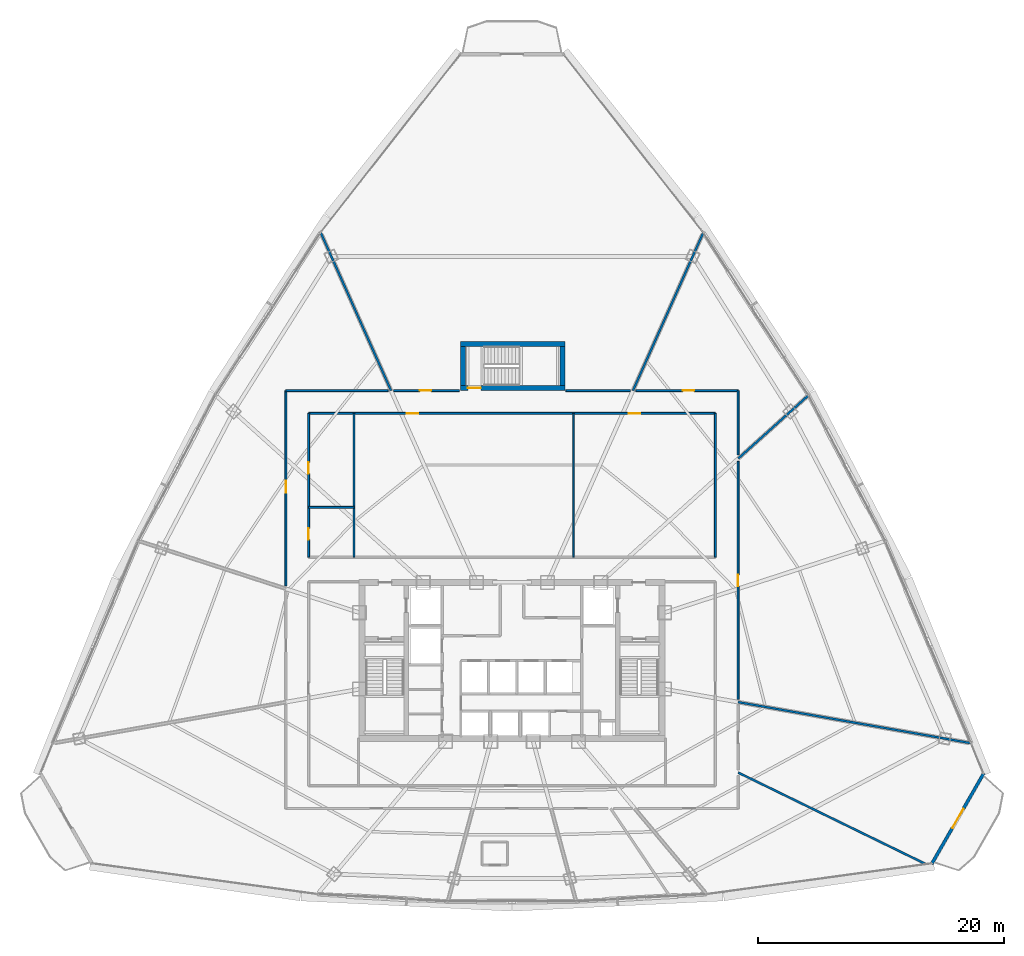
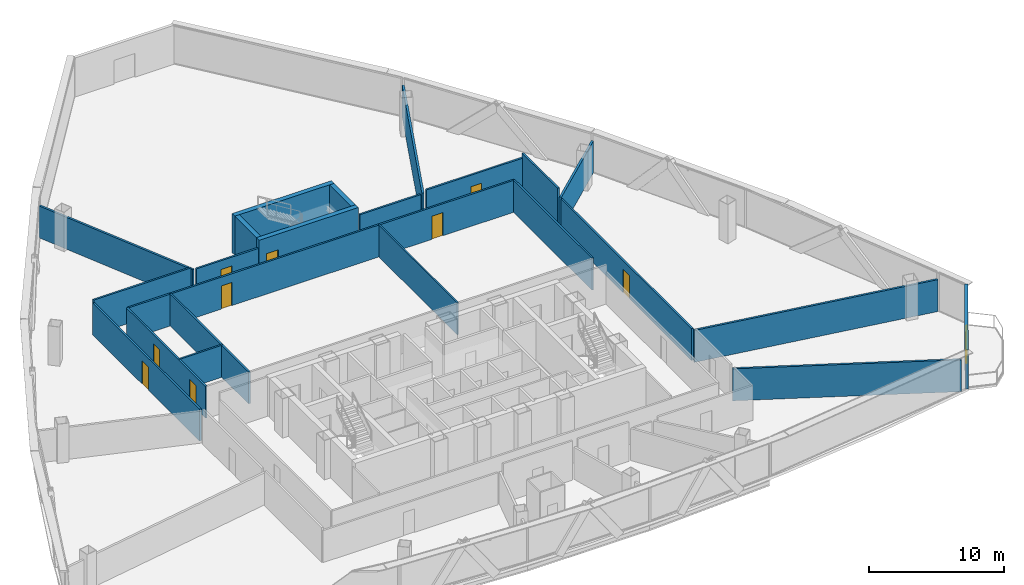
# One storey, part 32 of 37: 23 walls, 10 doors, 10 openings.
"""IFC4 building model written with IfcOpenShell, lengths in metres."""

from ifc_helpers import new_model, si_unit, direction, frame, frame_2d, origin, origin_with_axes, place, context, subcontext, project, spatial, rectangle, extrude, source, transform, mapped, material, layer, layer_set, type_object, element, fill, save


model = new_model("IFC4")

# Units and contexts
model_context = context("Model", 3, precision=1e-05, world=origin(), true_north=direction((0.0, 1.0)))
body_context = subcontext(model_context, "Body", "Model", "MODEL_VIEW")
ifc_project = project(units=[si_unit("LENGTHUNIT", "METRE"), si_unit("AREAUNIT", "SQUARE_METRE"), si_unit("VOLUMEUNIT", "CUBIC_METRE"), si_unit("PLANEANGLEUNIT", "RADIAN"), si_unit("MASSUNIT", "GRAM", prefix="KILO"), si_unit("THERMODYNAMICTEMPERATUREUNIT", "KELVIN"), si_unit("POWERUNIT", "WATT")], contexts=[model_context])

# Site, building, storey
site_placement = place(None, origin())
site = spatial("IfcSite", under=ifc_project, at=site_placement, CompositionType="ELEMENT")
building_placement = place(site_placement, origin())
building = spatial("IfcBuilding", under=site, at=building_placement, Name="Yunzhuo Pagoda Commons", CompositionType="ELEMENT")
storey_placement = place(building_placement, frame((0.0, 0.0, 196.159912109375)))
storey = spatial("IfcBuildingStorey", under=building, at=storey_placement, Name="L49", CompositionType="ELEMENT", Elevation=196.159912109375)

# Wall, opening, door
ifc_material_1 = material(Name="Precast concrete C40", Category="concrete")
ifc_layer_1 = layer(ifc_material_1, 0.260009765625)
ifc_layer_set_1 = layer_set([ifc_layer_1], Name="Precast concrete C40")
wall_type_1 = type_object("IfcWallType", Name="W-BAL1 Corner Balcony Threshold Wall 260", PredefinedType="STANDARD", material=ifc_layer_set_1)
wall_1_placement = place(storey_placement, frame((82.139892578125, 17.284912109375, 0.0), z_axis=(0.0, 0.0, 1.0), x_axis=(0.497930869929, 0.867216725376, 0.0)))
wall_1 = element("IfcWall", 1, at=wall_1_placement, inside=storey, type_object=wall_type_1, Name="L49 corner balcony wall V2", PredefinedType="STANDARD", context=body_context, shape_type="SweptSolid", body=[
    extrude(rectangle(XDim=8.534423828125, YDim=0.260009765625, at=frame_2d((4.26708984375, 0.0))), origin(), (0.0, 0.0, 1.0), 3.5400390625),
])
opening_1_placement = place(wall_1_placement, frame((3.3671875, 0.0, 0.0)))
opening_1 = element("IfcOpeningElement", 2, at=opening_1_placement, cuts=wall_1, Name="Opening D-BAL1", PredefinedType="OPENING", context=body_context, shape_type="SweptSolid", body=[
    extrude(rectangle(XDim=1.800048828125, YDim=2.14990234375, at=frame_2d((0.89990234375, 1.074951171875))), frame((0.0, 0.14013671875, 0.0), z_axis=(0.0, -1.0, 0.0), x_axis=(1.0, 0.0, 0.0)), (0.0, 0.0, 1.0), 0.280029296875),
])
ifc_material_2 = material(Name="Anodized aluminium frame and tempered glazed leaf", Category="aluminium")
door_type_1 = type_object("IfcDoorType", Name="D-BAL1 Corner Balcony Sliding Glazed Door 1800x2150", OperationType="DOUBLE_DOOR_SLIDING", PredefinedType="DOOR", material=ifc_material_2)
shared_shape_1 = source(origin(), body_context, "Body", "SweptSolid", [
    extrude(rectangle(XDim=1.800048828125, YDim=2.14990234375, at=frame_2d((0.89990234375, 1.074951171875))), frame((0.0, 0.02490234375, 0.0), z_axis=(0.0, -1.0, 0.0), x_axis=(1.0, 0.0, 0.0)), (0.0, 0.0, 1.0), 0.050048828125),
])
door_1_placement = place(opening_1_placement, origin_with_axes())
door_1 = element("IfcDoor", 3, at=door_1_placement, inside=storey, type_object=door_type_1, Name="L49 corner balcony sliding door V2", OperationType="DOUBLE_DOOR_SLIDING", OverallHeight=2.14990234375, OverallWidth=1.800048828125, PredefinedType="DOOR", context=body_context, shape_type="MappedRepresentation", body=[
    mapped(shared_shape_1, transform((0.0, 0.0, 0.0), scale=1.0)),
])
fill(opening_1, door_1)

# Wall, openings, doors
ifc_material_3 = material(Name="Gypsum plasterboard on acoustic stud")
ifc_layer_2 = layer(ifc_material_3, 0.155029296875)
ifc_layer_set_2 = layer_set([ifc_layer_2], Name="Gypsum plasterboard on acoustic stud")
wall_type_2 = type_object("IfcWallType", Name="W-COR2 Mid-Zone Rated Corridor Wall 155", PredefinedType="PARTITIONING", material=ifc_layer_set_2)
wall_2_placement = place(storey_placement, frame((31.449951171875, 53.949951171875, 0.0), z_axis=(0.0, 0.0, 1.0), x_axis=(1.0, 0.0, 0.0)))
wall_2 = element("IfcWall", 4, at=wall_2_placement, inside=storey, type_object=wall_type_2, Name="L49 interior wall IW-L49-MCNN", PredefinedType="PARTITIONING", context=body_context, shape_type="SweptSolid", body=[
    extrude(rectangle(XDim=33.10009765625, YDim=0.155029296875, at=frame_2d((16.550048828125, 0.0))), origin(), (0.0, 0.0, 1.0), 2.89013671875),
])
opening_2_placement = place(wall_2_placement, frame((8.0, 0.0, 0.0)))
opening_2 = element("IfcOpeningElement", 5, at=opening_2_placement, cuts=wall_2, Name="Opening D-04", PredefinedType="OPENING", context=body_context, shape_type="SweptSolid", body=[
    extrude(rectangle(XDim=0.919921875, YDim=2.10009765625, at=frame_2d((0.4599609375, 1.050048828125))), frame((0.0, 0.08740234375, 0.0), z_axis=(0.0, -1.0, 0.0), x_axis=(1.0, 0.0, 0.0)), (0.0, 0.0, 1.0), 0.175048828125),
])
opening_3_placement = place(wall_2_placement, frame((26.050048828125, 0.0, 0.0)))
opening_3 = element("IfcOpeningElement", 6, at=opening_3_placement, cuts=wall_2, Name="Opening D-04", PredefinedType="OPENING", context=body_context, shape_type="SweptSolid", body=[
    extrude(rectangle(XDim=0.919921875, YDim=2.10009765625, at=frame_2d((0.4599609375, 1.050048828125))), frame((0.0, 0.08740234375, 0.0), z_axis=(0.0, -1.0, 0.0), x_axis=(1.0, 0.0, 0.0)), (0.0, 0.0, 1.0), 0.175048828125),
])
ifc_material_4 = material(Name="Powder-coated aluminium and timber acoustic leaf", Category="wood")
door_type_2 = type_object("IfcDoorType", Name="D-04 Bedroom & Study Interior Door 920x2100", OperationType="NOTDEFINED", PredefinedType="DOOR", material=ifc_material_4)
shared_shape_2 = source(origin(), body_context, "Body", "SweptSolid", [
    extrude(rectangle(XDim=0.919921875, YDim=2.10009765625, at=frame_2d((0.4599609375, 1.050048828125))), frame((0.0, 0.02490234375, 0.0), z_axis=(0.0, -1.0, 0.0), x_axis=(1.0, 0.0, 0.0)), (0.0, 0.0, 1.0), 0.050048828125),
])
door_2_placement = place(opening_2_placement, origin_with_axes())
door_2 = element("IfcDoor", 7, at=door_2_placement, inside=storey, type_object=door_type_2, Name="L49 reading commons door", OperationType="SINGLE_SWING_LEFT", OverallHeight=2.10009765625, OverallWidth=0.919921875, PredefinedType="DOOR", context=body_context, shape_type="MappedRepresentation", body=[
    mapped(shared_shape_2, transform((0.0, 0.0, 0.0), scale=1.0)),
])
fill(opening_2, door_2)
door_3_placement = place(opening_3_placement, origin_with_axes())
door_3 = element("IfcDoor", 8, at=door_3_placement, inside=storey, type_object=door_type_2, Name="L49 seminar commons door", OperationType="SINGLE_SWING_RIGHT", OverallHeight=2.10009765625, OverallWidth=0.919921875, PredefinedType="DOOR", context=body_context, shape_type="MappedRepresentation", body=[
    mapped(shared_shape_2, transform((0.0, 0.0, 0.0), scale=1.0)),
])
fill(opening_3, door_3)

wall_3_placement = place(storey_placement, frame((31.449951171875, 42.25, 0.0), z_axis=(0.0, 0.0, 1.0), x_axis=(0.0, 1.0, 0.0)))
wall_3 = element("IfcWall", 9, at=wall_3_placement, inside=storey, type_object=wall_type_2, Name="L49 interior wall IW-L49-MCNW", PredefinedType="PARTITIONING", context=body_context, shape_type="SweptSolid", body=[
    extrude(rectangle(XDim=11.699951171875, YDim=0.155029296875, at=frame_2d((5.85009765625, 0.0))), origin(), (0.0, 0.0, 1.0), 2.89013671875),
])
opening_4_placement = place(wall_3_placement, frame((1.39990234375, 0.0, 0.0)))
opening_4 = element("IfcOpeningElement", 10, at=opening_4_placement, cuts=wall_3, Name="Opening D-11", PredefinedType="OPENING", context=body_context, shape_type="SweptSolid", body=[
    extrude(rectangle(XDim=0.93994140625, YDim=2.10009765625, at=frame_2d((0.469970703125, 1.050048828125))), frame((0.0, 0.08740234375, 0.0), z_axis=(0.0, -1.0, 0.0), x_axis=(1.0, 0.0, 0.0)), (0.0, 0.0, 1.0), 0.175048828125),
])
opening_5_placement = place(wall_3_placement, frame((6.800048828125, 0.0, 0.0)))
opening_5 = element("IfcOpeningElement", 11, at=opening_5_placement, cuts=wall_3, Name="Opening D-04", PredefinedType="OPENING", context=body_context, shape_type="SweptSolid", body=[
    extrude(rectangle(XDim=0.919921875, YDim=2.10009765625, at=frame_2d((0.4599609375, 1.050048828125))), frame((0.0, 0.08740234375, 0.0), z_axis=(0.0, -1.0, 0.0), x_axis=(1.0, 0.0, 0.0)), (0.0, 0.0, 1.0), 0.175048828125),
])
ifc_material_5 = material(Name="Galvanized fire-resisting metal leaf")
door_type_3 = type_object("IfcDoorType", Name="D-11 Accessible Washroom Fire Door 940x2100", OperationType="NOTDEFINED", PredefinedType="DOOR", material=ifc_material_5)
shared_shape_3 = source(origin(), body_context, "Body", "SweptSolid", [
    extrude(rectangle(XDim=0.93994140625, YDim=2.10009765625, at=frame_2d((0.469970703125, 1.050048828125))), frame((0.0, 0.02490234375, 0.0), z_axis=(0.0, -1.0, 0.0), x_axis=(1.0, 0.0, 0.0)), (0.0, 0.0, 1.0), 0.050048828125),
])
door_4_placement = place(opening_4_placement, origin_with_axes())
door_4 = element("IfcDoor", 12, at=door_4_placement, inside=storey, type_object=door_type_3, Name="L49 accessible WC door", OperationType="SINGLE_SWING_LEFT", OverallHeight=2.10009765625, OverallWidth=0.93994140625, PredefinedType="DOOR", context=body_context, shape_type="MappedRepresentation", body=[
    mapped(shared_shape_3, transform((0.0, 0.0, 0.0), scale=1.0)),
])
fill(opening_4, door_4)
door_5_placement = place(opening_5_placement, origin_with_axes())
door_5 = element("IfcDoor", 13, at=door_5_placement, inside=storey, type_object=door_type_2, Name="L49 laundry door", OperationType="SINGLE_SWING_RIGHT", OverallHeight=2.10009765625, OverallWidth=0.919921875, PredefinedType="DOOR", context=body_context, shape_type="MappedRepresentation", body=[
    mapped(shared_shape_2, transform((0.0, 0.0, 0.0), scale=1.0)),
])
fill(opening_5, door_5)

# Walls
for number, where, z_axis, x_axis, name in (
    (14, (64.550048828125, 42.25, 0.0), (0.0, 0.0, 1.0), (0.0, 1.0, 0.0), "L49 interior wall IW-L49-MCNE"),
    (15, (35.14990234375, 42.25, 0.0), (0.0, 0.0, 1.0), (0.0, 1.0, 0.0), "L49 interior wall IW-L49-MCWCE"),
):
    element("IfcWall", number, at=place(storey_placement, frame(where, z_axis=z_axis, x_axis=x_axis)), inside=storey, type_object=wall_type_2, Name=name, PredefinedType="PARTITIONING", context=body_context, shape_type="SweptSolid", body=[
        extrude(rectangle(XDim=11.699951171875, YDim=0.155029296875, at=frame_2d((5.85009765625, 0.0))), origin(), (0.0, 0.0, 1.0), 2.89013671875),
    ])
wall_4_placement = place(storey_placement, frame((31.449951171875, 46.300048828125, 0.0), z_axis=(0.0, 0.0, 1.0), x_axis=(1.0, 0.0, 0.0)))
element("IfcWall", 16, at=wall_4_placement, inside=storey, type_object=wall_type_2, Name="L49 interior wall IW-L49-MCWCN", PredefinedType="PARTITIONING", context=body_context, shape_type="SweptSolid", body=[
    extrude(rectangle(XDim=3.699951171875, YDim=0.155029296875, at=frame_2d((1.85009765625, 0.0))), origin(), (0.0, 0.0, 1.0), 2.89013671875),
])

# Wall, opening, door
wall_5_placement = place(storey_placement, frame((29.60009765625, 39.909912109375, 0.0), z_axis=(0.0, 0.0, 1.0), x_axis=(0.0, 1.0, 0.0)))
wall_5 = element("IfcWall", 17, at=wall_5_placement, inside=storey, type_object=wall_type_2, Name="L49 interior wall IW-L49-CWL03", PredefinedType="PARTITIONING", context=body_context, shape_type="SweptSolid", body=[
    extrude(rectangle(XDim=15.89013671875, YDim=0.155029296875, at=frame_2d((7.945068359375, 0.0))), origin(), (0.0, 0.0, 1.0), 2.89013671875),
])
opening_6_placement = place(wall_5_placement, frame((7.58447265625, 0.0, 0.0)))
opening_6 = element("IfcOpeningElement", 18, at=opening_6_placement, cuts=wall_5, Name="Opening D-07", PredefinedType="OPENING", context=body_context, shape_type="SweptSolid", body=[
    extrude(rectangle(XDim=0.9599609375, YDim=2.1201171875, at=frame_2d((0.47998046875, 1.06005859375))), frame((0.0, 0.08740234375, 0.0), z_axis=(0.0, -1.0, 0.0), x_axis=(1.0, 0.0, 0.0)), (0.0, 0.0, 1.0), 0.175048828125),
])
door_type_4 = type_object("IfcDoorType", Name="D-07 Mid-Zone Suite Entrance Fire Door 960x2120", OperationType="NOTDEFINED", PredefinedType="DOOR", material=ifc_material_5)
shared_shape_4 = source(origin(), body_context, "Body", "SweptSolid", [
    extrude(rectangle(XDim=0.9599609375, YDim=2.1201171875, at=frame_2d((0.47998046875, 1.06005859375))), frame((0.0, 0.02490234375, 0.0), z_axis=(0.0, -1.0, 0.0), x_axis=(1.0, 0.0, 0.0)), (0.0, 0.0, 1.0), 0.050048828125),
])
door_6_placement = place(opening_6_placement, origin_with_axes())
door_6 = element("IfcDoor", 19, at=door_6_placement, inside=storey, type_object=door_type_4, Name="L49 Resident Co-Living Commons Hall door", OperationType="SINGLE_SWING_LEFT", OverallHeight=2.1201171875, OverallWidth=0.9599609375, PredefinedType="DOOR", context=body_context, shape_type="MappedRepresentation", body=[
    mapped(shared_shape_4, transform((0.0, 0.0, 0.0), scale=1.0)),
])
fill(opening_6, door_6)

# Wall
wall_6_placement = place(storey_placement, frame((29.60009765625, 55.800048828125, 0.0), z_axis=(0.0, 0.0, 1.0), x_axis=(1.0, 0.0, 0.0)))
element("IfcWall", 20, at=wall_6_placement, inside=storey, type_object=wall_type_2, Name="L49 interior wall IW-L49-CWL04", PredefinedType="PARTITIONING", context=body_context, shape_type="SweptSolid", body=[
    extrude(rectangle(XDim=8.319580078125, YDim=0.155029296875, at=frame_2d((4.15966796875, 0.0))), origin(), (0.0, 0.0, 1.0), 3.14013671875),
])

# Wall, opening, door
wall_7_placement = place(storey_placement, frame((38.380126953125, 55.800048828125, 0.0), z_axis=(0.0, 0.0, 1.0), x_axis=(1.0, 0.0, 0.0)))
wall_7 = element("IfcWall", 21, at=wall_7_placement, inside=storey, type_object=wall_type_2, Name="L49 interior wall IW-L49-CWL05", PredefinedType="PARTITIONING", context=body_context, shape_type="SweptSolid", body=[
    extrude(rectangle(XDim=5.328857421875, YDim=0.155029296875, at=frame_2d((2.66455078125, 0.0))), origin(), (0.0, 0.0, 1.0), 2.89013671875),
])
opening_7_placement = place(wall_7_placement, frame((2.1298828125, 0.0, 0.0)))
opening_7 = element("IfcOpeningElement", 22, at=opening_7_placement, cuts=wall_7, Name="Opening D-04", PredefinedType="OPENING", context=body_context, shape_type="SweptSolid", body=[
    extrude(rectangle(XDim=0.919921875, YDim=2.10009765625, at=frame_2d((0.4599609375, 1.050048828125))), frame((0.0, 0.08740234375, 0.0), z_axis=(0.0, -1.0, 0.0), x_axis=(1.0, 0.0, 0.0)), (0.0, 0.0, 1.0), 0.175048828125),
])
door_7_placement = place(opening_7_placement, origin_with_axes())
door_7 = element("IfcDoor", 23, at=door_7_placement, inside=storey, type_object=door_type_2, Name="L49 seminar room 03 door", OperationType="SINGLE_SWING_RIGHT", OverallHeight=2.10009765625, OverallWidth=0.919921875, PredefinedType="DOOR", context=body_context, shape_type="MappedRepresentation", body=[
    mapped(shared_shape_2, transform((0.0, 0.0, 0.0), scale=1.0)),
])
fill(opening_7, door_7)

# Wall
wall_8_placement = place(storey_placement, frame((52.39111328125, 55.800048828125, 0.0), z_axis=(0.0, 0.0, 1.0), x_axis=(1.0, 0.0, 0.0)))
element("IfcWall", 24, at=wall_8_placement, inside=storey, type_object=wall_type_2, Name="L49 interior wall IW-L49-CWL06", PredefinedType="PARTITIONING", context=body_context, shape_type="SweptSolid", body=[
    extrude(rectangle(XDim=5.228759765625, YDim=0.155029296875, at=frame_2d((2.6142578125, 0.0))), origin(), (0.0, 0.0, 1.0), 2.89013671875),
])

# Wall, opening, door
wall_9_placement = place(storey_placement, frame((58.080322265625, 55.800048828125, 0.0), z_axis=(0.0, 0.0, 1.0), x_axis=(1.0, 0.0, 0.0)))
wall_9 = element("IfcWall", 25, at=wall_9_placement, inside=storey, type_object=wall_type_2, Name="L49 interior wall IW-L49-CWL07", PredefinedType="PARTITIONING", context=body_context, shape_type="SweptSolid", body=[
    extrude(rectangle(XDim=8.319580078125, YDim=0.155029296875, at=frame_2d((4.15966796875, 0.0))), origin(), (0.0, 0.0, 1.0), 3.14013671875),
])
opening_8_placement = place(wall_9_placement, frame((3.809326171875, 0.0, 0.0)))
opening_8 = element("IfcOpeningElement", 26, at=opening_8_placement, cuts=wall_9, Name="Opening D-04", PredefinedType="OPENING", context=body_context, shape_type="SweptSolid", body=[
    extrude(rectangle(XDim=0.919921875, YDim=2.10009765625, at=frame_2d((0.4599609375, 1.050048828125))), frame((0.0, 0.08740234375, 0.0), z_axis=(0.0, -1.0, 0.0), x_axis=(1.0, 0.0, 0.0)), (0.0, 0.0, 1.0), 0.175048828125),
])
door_8_placement = place(opening_8_placement, origin_with_axes())
door_8 = element("IfcDoor", 27, at=door_8_placement, inside=storey, type_object=door_type_2, Name="L49 seminar room 02 door", OperationType="SINGLE_SWING_LEFT", OverallHeight=2.10009765625, OverallWidth=0.919921875, PredefinedType="DOOR", context=body_context, shape_type="MappedRepresentation", body=[
    mapped(shared_shape_2, transform((0.0, 0.0, 0.0), scale=1.0)),
])
fill(opening_8, door_8)

# Wall
wall_10_placement = place(storey_placement, frame((66.39990234375, 55.800048828125, 0.0), z_axis=(0.0, 0.0, 1.0), x_axis=(0.0, -1.0, 0.0)))
element("IfcWall", 28, at=wall_10_placement, inside=storey, type_object=wall_type_2, Name="L49 interior wall IW-L49-CWL08", PredefinedType="PARTITIONING", context=body_context, shape_type="SweptSolid", body=[
    extrude(rectangle(XDim=5.236572265625, YDim=0.155029296875, at=frame_2d((2.6181640625, 0.0))), origin(), (0.0, 0.0, 1.0), 3.5400390625),
])

# Wall, opening, door
wall_11_placement = place(storey_placement, frame((66.39990234375, 50.047607421875, 0.0), z_axis=(0.0, 0.0, 1.0), x_axis=(0.0, -1.0, 0.0)))
wall_11 = element("IfcWall", 29, at=wall_11_placement, inside=storey, type_object=wall_type_2, Name="L49 interior wall IW-L49-CWL09", PredefinedType="PARTITIONING", context=body_context, shape_type="SweptSolid", body=[
    extrude(rectangle(XDim=19.372314453125, YDim=0.155029296875, at=frame_2d((9.68603515625, 0.0))), origin(), (0.0, 0.0, 1.0), 2.89013671875),
])
opening_9_placement = place(wall_11_placement, frame((9.211181640625, 0.0, 0.0)))
opening_9 = element("IfcOpeningElement", 30, at=opening_9_placement, cuts=wall_11, Name="Opening D-07", PredefinedType="OPENING", context=body_context, shape_type="SweptSolid", body=[
    extrude(rectangle(XDim=0.9599609375, YDim=2.1201171875, at=frame_2d((0.47998046875, 1.06005859375))), frame((0.0, 0.08740234375, 0.0), z_axis=(0.0, -1.0, 0.0), x_axis=(1.0, 0.0, 0.0)), (0.0, 0.0, 1.0), 0.175048828125),
])
door_9_placement = place(opening_9_placement, origin_with_axes())
door_9 = element("IfcDoor", 31, at=door_9_placement, inside=storey, type_object=door_type_4, Name="L49 Shared Resident Kitchen and Pantry door", OperationType="SINGLE_SWING_RIGHT", OverallHeight=2.1201171875, OverallWidth=0.9599609375, PredefinedType="DOOR", context=body_context, shape_type="MappedRepresentation", body=[
    mapped(shared_shape_4, transform((0.0, 0.0, 0.0), scale=1.0)),
])
fill(opening_9, door_9)

# Walls
ifc_layer_3 = layer(ifc_material_3, 0.1201171875)
ifc_layer_set_3 = layer_set([ifc_layer_3], Name="Gypsum plasterboard on acoustic stud")
wall_type_3 = type_object("IfcWallType", Name="W-PRT1 Suite & Bathroom Partition 120", PredefinedType="PARTITIONING", material=ifc_layer_set_3)
wall_12_placement = place(storey_placement, frame((53.0, 42.25, 0.0), z_axis=(0.0, 0.0, 1.0), x_axis=(0.0, 1.0, 0.0)))
element("IfcWall", 32, at=wall_12_placement, inside=storey, type_object=wall_type_3, Name="L49 interior wall IW-L49-MCDIV", PredefinedType="PARTITIONING", context=body_context, shape_type="SweptSolid", body=[
    extrude(rectangle(XDim=11.699951171875, YDim=0.1201171875, at=frame_2d((5.85009765625, 0.0))), origin(), (0.0, 0.0, 1.0), 2.89013671875),
])
ifc_layer_4 = layer(ifc_material_3, 0.175048828125)
ifc_layer_set_4 = layer_set([ifc_layer_4], Name="Gypsum plasterboard on acoustic stud")
wall_type_4 = type_object("IfcWallType", Name="W-PRT3 Mid-Zone Demising Wall 175", PredefinedType="PARTITIONING", material=ifc_layer_set_4)
wall_13_placement = place(storey_placement, frame((66.39990234375, 50.267333984375, 0.0), z_axis=(0.0, 0.0, 1.0), x_axis=(0.743141257722, 0.669134568731, 0.0)))
element("IfcWall", 33, at=wall_13_placement, inside=storey, type_object=wall_type_4, Name="L49 interior wall IW-L49-RAD01", PredefinedType="PARTITIONING", context=body_context, shape_type="SweptSolid", body=[
    extrude(rectangle(XDim=7.702880859375, YDim=0.175048828125, at=frame_2d((3.8515625, 0.0))), origin(), (0.0, 0.0, 1.0), 2.89013671875),
])
for number, where, z_axis, x_axis, name in (
    (34, (57.839599609375, 55.800048828125, 0.0), (0.0, 0.0, 1.0), (0.406725691424, 0.913550333554, 0.0), "L49 interior wall IW-L49-RAD02"),
    (35, (38.160400390625, 55.800048828125, 0.0), (0.0, 0.0, 1.0), (-0.406725691424, 0.913550333554, 0.0), "L49 interior wall IW-L49-RAD03"),
):
    element("IfcWall", number, at=place(storey_placement, frame(where, z_axis=z_axis, x_axis=x_axis)), inside=storey, type_object=wall_type_4, Name=name, PredefinedType="PARTITIONING", context=body_context, shape_type="SweptSolid", body=[
        extrude(rectangle(XDim=14.077880859375, YDim=0.175048828125, at=frame_2d((7.0390625, 0.0))), origin(), (0.0, 0.0, 1.0), 2.89013671875),
    ])
wall_14_placement = place(storey_placement, frame((66.39990234375, 24.7255859375, 0.0), z_axis=(0.0, 0.0, 1.0), x_axis=(0.898797681505, -0.438363693435, 0.0)))
element("IfcWall", 36, at=wall_14_placement, inside=storey, type_object=wall_type_4, Name="L49 interior wall IW-L49-RAD10", PredefinedType="PARTITIONING", context=body_context, shape_type="SweptSolid", body=[
    extrude(rectangle(XDim=17.01318359375, YDim=0.175048828125, at=frame_2d((8.506591796875, 0.0))), origin(), (0.0, 0.0, 1.0), 2.89013671875),
])
wall_15_placement = place(storey_placement, frame((66.39990234375, 30.45556640625, 0.0), z_axis=(0.0, 0.0, 1.0), x_axis=(0.984807685374, -0.173648561263, 0.0)))
element("IfcWall", 37, at=wall_15_placement, inside=storey, type_object=wall_type_4, Name="L49 interior wall IW-L49-RAD11", PredefinedType="PARTITIONING", context=body_context, shape_type="SweptSolid", body=[
    extrude(rectangle(XDim=19.24609375, YDim=0.175048828125, at=frame_2d((9.623046875, 0.0))), origin(), (0.0, 0.0, 1.0), 2.89013671875),
])
ifc_material_6 = material(Name="Concrete C60", Category="concrete")
ifc_layer_5 = layer(ifc_material_6, 0.39990234375)
ifc_layer_set_5 = layer_set([ifc_layer_5], Name="Concrete C60")
wall_type_5 = type_object("IfcWallType", Name="W-S01 Internal Core Shear Web 400", PredefinedType="SHEAR", material=ifc_layer_set_5)
wall_16_placement = place(storey_placement, frame((43.800048828125, 59.60009765625, 0.0), z_axis=(0.0, 0.0, 1.0), x_axis=(1.0, 0.0, 0.0)))
element("IfcWall", 38, at=wall_16_placement, inside=storey, type_object=wall_type_5, Name="L49 ST3 structural stair wall N", PredefinedType="SHEAR", context=body_context, shape_type="SweptSolid", body=[
    extrude(rectangle(XDim=8.5, YDim=0.39990234375, at=frame_2d((4.25, 0.0))), origin(), (0.0, 0.0, 1.0), 3.5400390625),
])

# Wall, opening, door
wall_17_placement = place(storey_placement, frame((43.800048828125, 56.0, 0.0), z_axis=(0.0, 0.0, 1.0), x_axis=(1.0, 0.0, 0.0)))
wall_17 = element("IfcWall", 39, at=wall_17_placement, inside=storey, type_object=wall_type_5, Name="L49 ST3 structural stair wall S", PredefinedType="SHEAR", context=body_context, shape_type="SweptSolid", body=[
    extrude(rectangle(XDim=8.5, YDim=0.39990234375, at=frame_2d((4.25, 0.0))), origin(), (0.0, 0.0, 1.0), 3.5400390625),
])
opening_10_placement = place(wall_17_placement, frame((0.6201171875, 0.0, 0.0)))
opening_10 = element("IfcOpeningElement", 40, at=opening_10_placement, cuts=wall_17, Name="Opening D-01", PredefinedType="OPENING", context=body_context, shape_type="SweptSolid", body=[
    extrude(rectangle(XDim=1.050048828125, YDim=2.10009765625, at=frame_2d((0.52490234375, 1.050048828125))), frame((0.0, 0.2099609375, 0.0), z_axis=(0.0, -1.0, 0.0), x_axis=(1.0, 0.0, 0.0)), (0.0, 0.0, 1.0), 0.419921875),
])
door_type_5 = type_object("IfcDoorType", Name="D-01 Smokeproof Stair Fire Door 1050x2100", OperationType="NOTDEFINED", PredefinedType="DOOR", material=ifc_material_5)
shared_shape_5 = source(origin(), body_context, "Body", "SweptSolid", [
    extrude(rectangle(XDim=1.050048828125, YDim=2.10009765625, at=frame_2d((0.52490234375, 1.050048828125))), frame((0.0, 0.02490234375, 0.0), z_axis=(0.0, -1.0, 0.0), x_axis=(1.0, 0.0, 0.0)), (0.0, 0.0, 1.0), 0.050048828125),
])
door_10_placement = place(opening_10_placement, frame((1.050048828125, 0.0, 0.0), z_axis=(0.0, 0.0, 1.0), x_axis=(-1.0, 0.0, 0.0)))
door_10 = element("IfcDoor", 41, at=door_10_placement, inside=storey, type_object=door_type_5, Name="L49 Stair ST3 fire door", OperationType="SINGLE_SWING_LEFT", OverallHeight=2.10009765625, OverallWidth=1.050048828125, PredefinedType="DOOR", context=body_context, shape_type="MappedRepresentation", body=[
    mapped(shared_shape_5, transform((0.0, 0.0, 0.0), scale=1.0)),
])
fill(opening_10, door_10)

# Walls
for number, where, z_axis, x_axis, name in (
    (42, (44.0, 56.199951171875, 0.0), (0.0, 0.0, 1.0), (0.0, 1.0, 0.0), "L49 ST3 structural stair wall W"),
    (43, (52.10009765625, 56.199951171875, 0.0), (0.0, 0.0, 1.0), (0.0, 1.0, 0.0), "L49 ST3 structural stair wall E"),
):
    element("IfcWall", number, at=place(storey_placement, frame(where, z_axis=z_axis, x_axis=x_axis)), inside=storey, type_object=wall_type_5, Name=name, PredefinedType="SHEAR", context=body_context, shape_type="SweptSolid", body=[
        extrude(rectangle(XDim=3.199951171875, YDim=0.39990234375, at=frame_2d((1.60009765625, 0.0))), origin(), (0.0, 0.0, 1.0), 3.5400390625),
    ])

save(model, "model.ifc")
